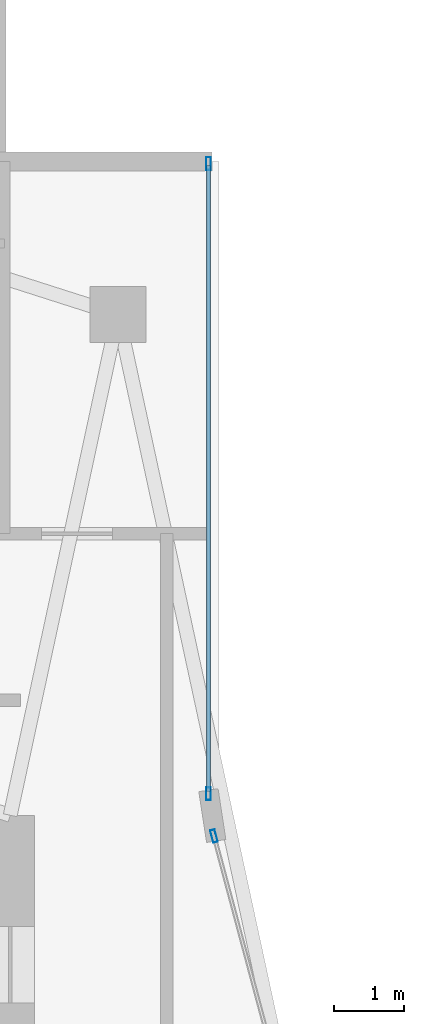
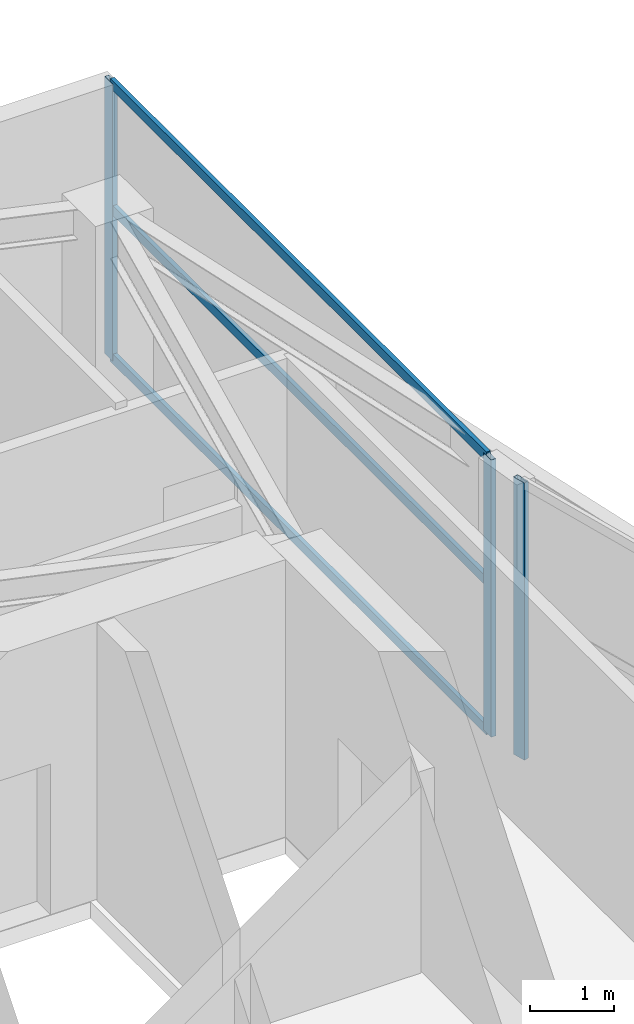
# One storey, part 18 of 27: 6 members, 2 elements without a shape of their own.
"""IFC4 building model written with IfcOpenShell, lengths in metres."""

from ifc_helpers import new_model, si_unit, direction, frame, origin, origin_2d, place, context, subcontext, project, spatial, hollow_rectangle, extrude, material, layer, layer_set, material_profile, profile_set, type_object, element, aggregate, save


model = new_model("IFC4")

# Units and contexts
model_context = context("Model", 3, precision=1e-05, world=origin(), true_north=direction((0.0, 1.0)))
body_context = subcontext(model_context, "Body", "Model", "MODEL_VIEW")
ifc_project = project(units=[si_unit("LENGTHUNIT", "METRE"), si_unit("AREAUNIT", "SQUARE_METRE"), si_unit("VOLUMEUNIT", "CUBIC_METRE"), si_unit("PLANEANGLEUNIT", "RADIAN"), si_unit("MASSUNIT", "GRAM", prefix="KILO")], contexts=[model_context])

# Site, building, storey
site_placement = place(None, origin())
site = spatial("IfcSite", under=ifc_project, at=site_placement, CompositionType="ELEMENT")
building_placement = place(site_placement, origin())
building = spatial("IfcBuilding", under=site, at=building_placement, Name="Calvorn Quay Hotel", CompositionType="ELEMENT")
storey_placement = place(building_placement, frame((0.0, 0.0, 239.300048828125)))
storey = spatial("IfcBuildingStorey", under=building, at=storey_placement, Name="L59", CompositionType="ELEMENT", Elevation=239.300048828125)

# Curtain wall, member
ifc_material_1 = material(Name="Champagne Bronze Anodised Aluminium and Low-E Glass", Category="aluminium")
ifc_layer = layer(ifc_material_1, 0.219970703125)
ifc_layer_set = layer_set([ifc_layer], Name="CW-SYS-Z3")
curtain_wall_type = type_object("IfcCurtainWallType", Name="CW-SYS-Z3", PredefinedType="NOTDEFINED", material=ifc_layer_set)
curtain_wall_1_placement = place(storey_placement, origin())
curtain_wall_1 = element("IfcCurtainWall", 1, at=curtain_wall_1_placement, inside=storey, type_object=curtain_wall_type, Name="Inner Court Curtain Wall L59-IC1", PredefinedType="NOTDEFINED")
ifc_material_2 = material(Name="Champagne Bronze Anodised Aluminium 6063-T6", Category="aluminium")
ifc_material_profile_1 = material_profile(ifc_material_2, hollow_rectangle(XDim=0.068115234375, YDim=0.18505859375, WallThickness=0.00390625, at=origin_2d()), Name="ALU-M185x68x4")
ifc_profile_set_1 = profile_set([ifc_material_profile_1], Name="Champagne Bronze Anodised Aluminium 6063-T6")
member_type_1 = type_object("IfcMemberType", Name="CW-SYS-Z3-MUL", PredefinedType="MULLION", material=ifc_profile_set_1)
member_1_placement = place(storey_placement, frame((17.9296875, 38.10107421875, 0.0), z_axis=(0.0, 0.0, 1.0), x_axis=(-0.96593652056, -0.25877913024, 0.0)))
member_1 = element("IfcMember", 2, at=member_1_placement, type_object=member_type_1, Name="CW-L59-IC1 mullion 2", PredefinedType="MULLION", context=body_context, shape_type="SweptSolid", body=[
    extrude(hollow_rectangle(XDim=0.068115234375, YDim=0.18505859375, WallThickness=0.00390625, at=origin_2d()), origin(), (0.0, 0.0, 1.0), 4.050048828125),
])
aggregate(curtain_wall_1, [member_1])

# Curtain wall, members
curtain_wall_2_placement = place(storey_placement, origin())
curtain_wall_2 = element("IfcCurtainWall", 3, at=curtain_wall_2_placement, inside=storey, type_object=curtain_wall_type, Name="Inner Court Curtain Wall L59-IC2", PredefinedType="NOTDEFINED")
member_2_placement = place(storey_placement, frame((17.85009765625, 38.7099609375, 0.0), z_axis=(0.0, 0.0, 1.0), x_axis=(-1.0, 0.0, 0.0)))
member_2 = element("IfcMember", 4, at=member_2_placement, type_object=member_type_1, Name="CW-L59-IC2 mullion 1", PredefinedType="MULLION", context=body_context, shape_type="SweptSolid", body=[
    extrude(hollow_rectangle(XDim=0.068115234375, YDim=0.18505859375, WallThickness=0.00390625, at=origin_2d()), origin(), (0.0, 0.0, 1.0), 4.050048828125),
])
member_3_placement = place(storey_placement, frame((17.85009765625, 47.77001953125, 0.0), z_axis=(0.0, 0.0, 1.0), x_axis=(-1.0, 0.0, 0.0)))
member_3 = element("IfcMember", 5, at=member_3_placement, type_object=member_type_1, Name="CW-L59-IC2 mullion 2", PredefinedType="MULLION", context=body_context, shape_type="SweptSolid", body=[
    extrude(hollow_rectangle(XDim=0.068115234375, YDim=0.18505859375, WallThickness=0.00390625, at=origin_2d()), origin(), (0.0, 0.0, 1.0), 4.050048828125),
])
ifc_material_3 = material(Name="Champagne Bronze Anodised Aluminium 6063-T6", Category="aluminium")
ifc_material_profile_2 = material_profile(ifc_material_3, hollow_rectangle(XDim=0.05810546875, YDim=0.139892578125, WallThickness=0.003173828125, at=origin_2d()), Name="ALU-T140x58x3.2")
ifc_profile_set_2 = profile_set([ifc_material_profile_2], Name="Champagne Bronze Anodised Aluminium 6063-T6")
member_type_2 = type_object("IfcMemberType", Name="CW-SYS-Z3-TRN", PredefinedType="USERDEFINED", material=ifc_profile_set_2)
member_4_placement = place(storey_placement, frame((17.85009765625, 38.739990234375, 0.030029296875), z_axis=(0.0, 1.0, 0.0), x_axis=(-1.0, 0.0, 0.0)))
member_4 = element("IfcMember", 6, at=member_4_placement, type_object=member_type_2, Name="CW-L59-IC2 transom 1.1", ObjectType="TRANSOM", PredefinedType="USERDEFINED", context=body_context, shape_type="SweptSolid", body=[
    extrude(hollow_rectangle(XDim=0.05810546875, YDim=0.139892578125, WallThickness=0.003173828125, at=origin_2d()), origin(), (0.0, 0.0, 1.0), 9.0),
])
member_5_placement = place(storey_placement, frame((17.85009765625, 38.739990234375, 2.199951171875), z_axis=(0.0, 1.0, 0.0), x_axis=(-1.0, 0.0, 0.0)))
member_5 = element("IfcMember", 7, at=member_5_placement, type_object=member_type_2, Name="CW-L59-IC2 transom 1.2", ObjectType="TRANSOM", PredefinedType="USERDEFINED", context=body_context, shape_type="SweptSolid", body=[
    extrude(hollow_rectangle(XDim=0.05810546875, YDim=0.139892578125, WallThickness=0.003173828125, at=origin_2d()), origin(), (0.0, 0.0, 1.0), 9.0),
])
member_6_placement = place(storey_placement, frame((17.85009765625, 38.739990234375, 4.02001953125), z_axis=(0.0, 1.0, 0.0), x_axis=(-1.0, 0.0, 0.0)))
member_6 = element("IfcMember", 8, at=member_6_placement, type_object=member_type_2, Name="CW-L59-IC2 transom 1.3", ObjectType="TRANSOM", PredefinedType="USERDEFINED", context=body_context, shape_type="SweptSolid", body=[
    extrude(hollow_rectangle(XDim=0.05810546875, YDim=0.139892578125, WallThickness=0.003173828125, at=origin_2d()), origin(), (0.0, 0.0, 1.0), 9.0),
])
aggregate(curtain_wall_2, [member_2, member_3, member_4, member_5, member_6])

save(model, "model.ifc")
